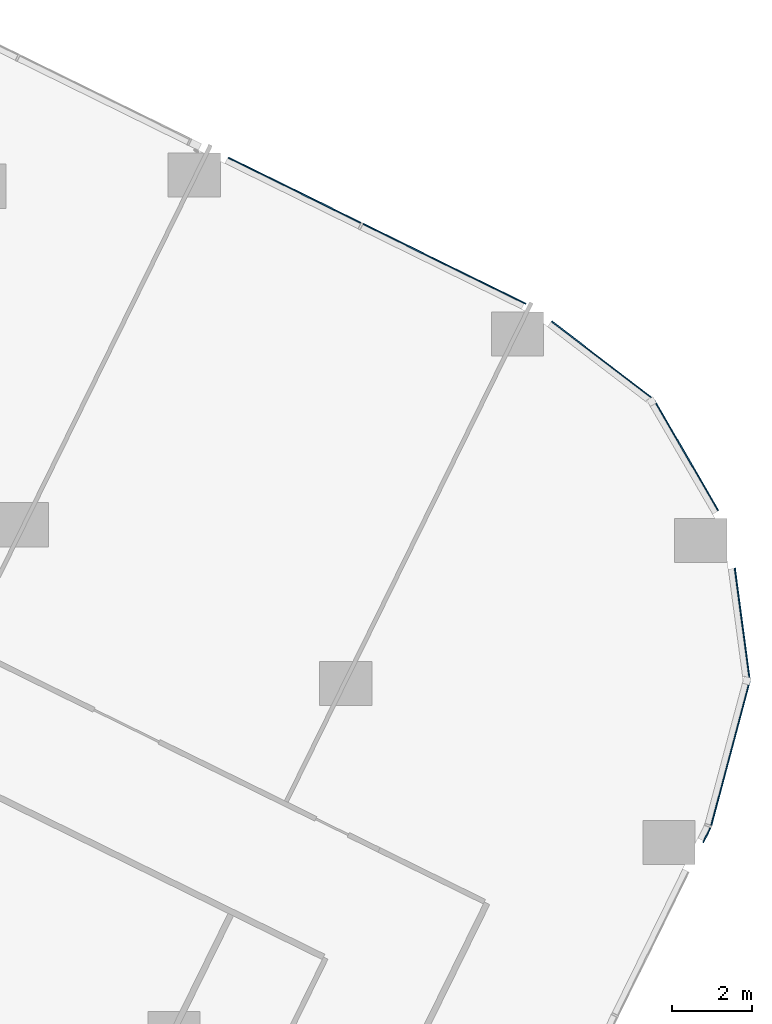
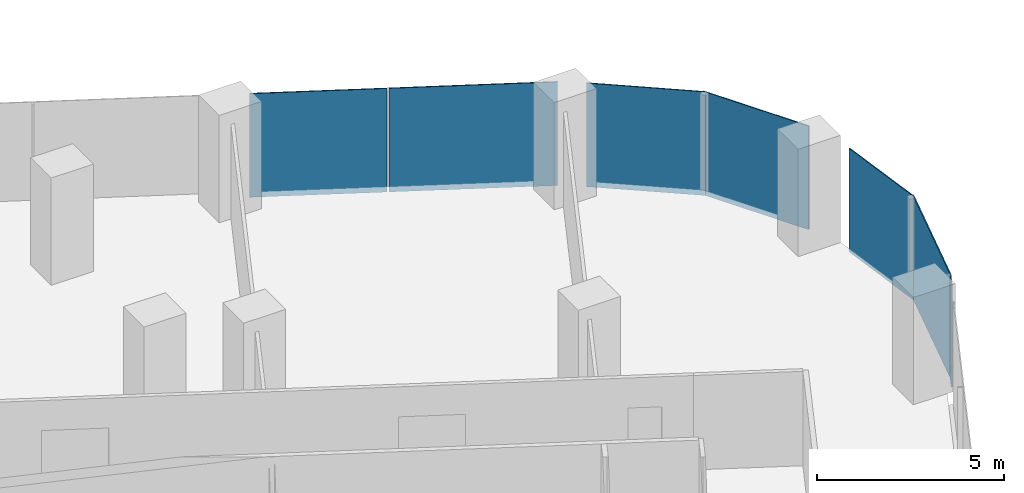
# One storey, part 23 of 38: 7 plates, 6 elements without a shape of their own.
"""IFC4 building model written with IfcOpenShell, lengths in metres."""

from ifc_helpers import new_model, si_unit, direction, frame, origin, origin_2d, place, context, subcontext, project, spatial, rectangle, extrude, material, layer, layer_set, type_object, element, aggregate, save


model = new_model("IFC4")

# Units and contexts
model_context = context("Model", 3, precision=1e-05, world=origin(), true_north=direction((0.0, 1.0)))
body_context = subcontext(model_context, "Body", "Model", "MODEL_VIEW")
ifc_project = project(units=[si_unit("LENGTHUNIT", "METRE"), si_unit("AREAUNIT", "SQUARE_METRE"), si_unit("VOLUMEUNIT", "CUBIC_METRE"), si_unit("PLANEANGLEUNIT", "RADIAN"), si_unit("MASSUNIT", "GRAM", prefix="KILO")], contexts=[model_context])

# Site, building, storey
site_placement = place(None, origin())
site = spatial("IfcSite", under=ifc_project, at=site_placement, CompositionType="ELEMENT")
building_placement = place(site_placement, origin())
building = spatial("IfcBuilding", under=site, at=building_placement, Name="Orlundy Tower", CompositionType="ELEMENT")
storey_placement = place(building_placement, frame((0.0, 0.0, 62.300048828125)))
storey = spatial("IfcBuildingStorey", under=building, at=storey_placement, Name="L14", CompositionType="ELEMENT", Elevation=62.300048828125)

# Curtain wall, plates
ifc_material_1 = material(Name="Aluminium bronze anodised", Category="aluminium")
curtain_wall_type = type_object("IfcCurtainWallType", Name="CW1 wall", PredefinedType="NOTDEFINED", material=ifc_material_1)
curtain_wall_1_placement = place(storey_placement, origin())
curtain_wall_1 = element("IfcCurtainWall", 1, at=curtain_wall_1_placement, inside=storey, type_object=curtain_wall_type, Name="CW1 run 018", PredefinedType="NOTDEFINED")
ifc_material_2 = material(Name="Tinted glass", Category="glass")
ifc_layer = layer(ifc_material_2, 0.031982421875)
ifc_layer_set = layer_set([ifc_layer], Name="CW1 glass panel 32")
plate_type = type_object("IfcPlateType", Name="CW1 glass panel 32", PredefinedType="CURTAIN_PANEL", material=ifc_layer_set)
plate_1_placement = place(storey_placement, frame((48.722900390625, -1.47314453125, -0.280029296875), z_axis=(0.0, 0.0, 1.0), x_axis=(0.897517823728, -0.440978180969, 0.0)))
plate_1 = element("IfcPlate", 2, at=plate_1_placement, type_object=plate_type, Name="CW1 panel", PredefinedType="CURTAIN_PANEL", context=body_context, shape_type="SweptSolid", body=[
    extrude(rectangle(XDim=3.68115234375, YDim=0.031982421875, at=origin_2d()), origin(), (0.0, 0.0, 1.0), 3.3798828125),
])
plate_2_placement = place(storey_placement, frame((52.447021484375, -3.302978515625, -0.280029296875), z_axis=(0.0, 0.0, 1.0), x_axis=(0.897517823728, -0.440978180969, 0.0)))
plate_2 = element("IfcPlate", 3, at=plate_2_placement, type_object=plate_type, Name="CW1 panel", PredefinedType="CURTAIN_PANEL", context=body_context, shape_type="SweptSolid", body=[
    extrude(rectangle(XDim=4.517578125, YDim=0.031982421875, at=origin_2d()), origin(), (0.0, 0.0, 1.0), 3.3798828125),
])
aggregate(curtain_wall_1, [plate_1, plate_2])

# Curtain wall, plate
curtain_wall_2_placement = place(storey_placement, origin())
curtain_wall_2 = element("IfcCurtainWall", 4, at=curtain_wall_2_placement, inside=storey, type_object=curtain_wall_type, Name="CW1 run 019", PredefinedType="NOTDEFINED")
plate_3_placement = place(storey_placement, frame((56.390869140625, -5.708740234375, -0.280029296875), z_axis=(0.0, 0.0, 1.0), x_axis=(0.794265929863, -0.607570269729, 0.0)))
plate_3 = element("IfcPlate", 5, at=plate_3_placement, type_object=plate_type, Name="CW1 panel", PredefinedType="CURTAIN_PANEL", context=body_context, shape_type="SweptSolid", body=[
    extrude(rectangle(XDim=3.202392578125, YDim=0.031982421875, at=origin_2d()), origin(), (0.0, 0.0, 1.0), 3.3798828125),
])
aggregate(curtain_wall_2, [plate_3])

curtain_wall_3_placement = place(storey_placement, origin())
curtain_wall_3 = element("IfcCurtainWall", 6, at=curtain_wall_3_placement, inside=storey, type_object=curtain_wall_type, Name="CW1 run 020", PredefinedType="NOTDEFINED")
plate_4_placement = place(storey_placement, frame((58.462158203125, -8.062255859375, -0.280029296875), z_axis=(0.0, 0.0, 1.0), x_axis=(0.501185126223, -0.865340088782, 0.0)))
plate_4 = element("IfcPlate", 7, at=plate_4_placement, type_object=plate_type, Name="CW1 panel", PredefinedType="CURTAIN_PANEL", context=body_context, shape_type="SweptSolid", body=[
    extrude(rectangle(XDim=3.191162109375, YDim=0.031982421875, at=origin_2d()), origin(), (0.0, 0.0, 1.0), 3.3798828125),
])
aggregate(curtain_wall_3, [plate_4])

curtain_wall_4_placement = place(storey_placement, origin())
curtain_wall_4 = element("IfcCurtainWall", 8, at=curtain_wall_4_placement, inside=storey, type_object=curtain_wall_type, Name="CW1 run 021", PredefinedType="NOTDEFINED")
plate_5_placement = place(storey_placement, frame((59.864013671875, -12.2802734375, -0.280029296875), z_axis=(0.0, 0.0, 1.0), x_axis=(0.131933971093, -0.991258506784, 0.0)))
plate_5 = element("IfcPlate", 9, at=plate_5_placement, type_object=plate_type, Name="CW1 panel", PredefinedType="CURTAIN_PANEL", context=body_context, shape_type="SweptSolid", body=[
    extrude(rectangle(XDim=2.833740234375, YDim=0.031982421875, at=origin_2d()), origin(), (0.0, 0.0, 1.0), 3.3798828125),
])
aggregate(curtain_wall_4, [plate_5])

curtain_wall_5_placement = place(storey_placement, origin())
curtain_wall_5 = element("IfcCurtainWall", 10, at=curtain_wall_5_placement, inside=storey, type_object=curtain_wall_type, Name="CW1 run 022", PredefinedType="NOTDEFINED")
plate_6_placement = place(storey_placement, frame((59.57080078125, -15.487060546875, -0.280029296875), z_axis=(0.0, 0.0, 1.0), x_axis=(-0.257360406209, -0.966315487466, 0.0)))
plate_6 = element("IfcPlate", 11, at=plate_6_placement, type_object=plate_type, Name="CW1 panel", PredefinedType="CURTAIN_PANEL", context=body_context, shape_type="SweptSolid", body=[
    extrude(rectangle(XDim=3.73046875, YDim=0.031982421875, at=origin_2d()), origin(), (0.0, 0.0, 1.0), 3.3798828125),
])
aggregate(curtain_wall_5, [plate_6])

curtain_wall_6_placement = place(storey_placement, origin())
curtain_wall_6 = element("IfcCurtainWall", 12, at=curtain_wall_6_placement, inside=storey, type_object=curtain_wall_type, Name="CW1 run 023", PredefinedType="NOTDEFINED")
plate_7_placement = place(storey_placement, frame((58.981201171875, -17.52392578125, -0.280029296875), z_axis=(0.0, 0.0, 1.0), x_axis=(-0.441012235503, -0.897501090883, 0.0)))
plate_7 = element("IfcPlate", 13, at=plate_7_placement, type_object=plate_type, Name="CW1 panel", PredefinedType="CURTAIN_PANEL", context=body_context, shape_type="SweptSolid", body=[
    extrude(rectangle(XDim=0.417724609375, YDim=0.031982421875, at=origin_2d()), origin(), (0.0, 0.0, 1.0), 3.3798828125),
])
aggregate(curtain_wall_6, [plate_7])

save(model, "model.ifc")
